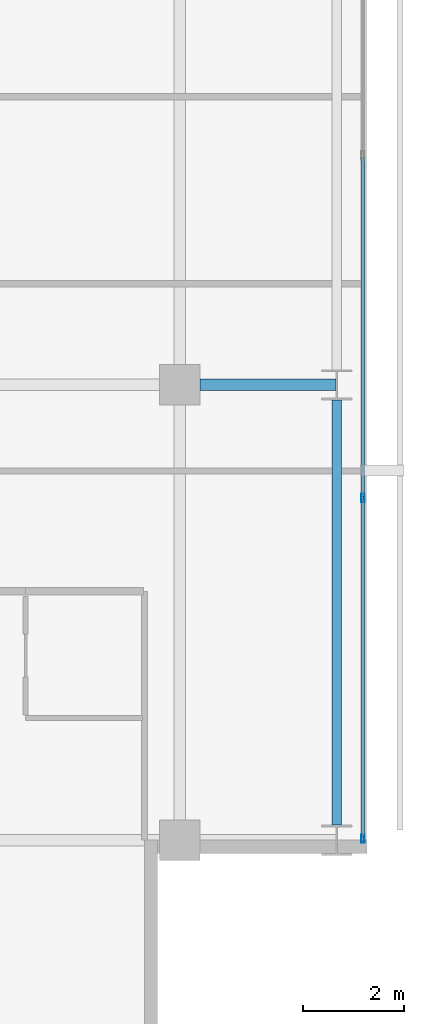
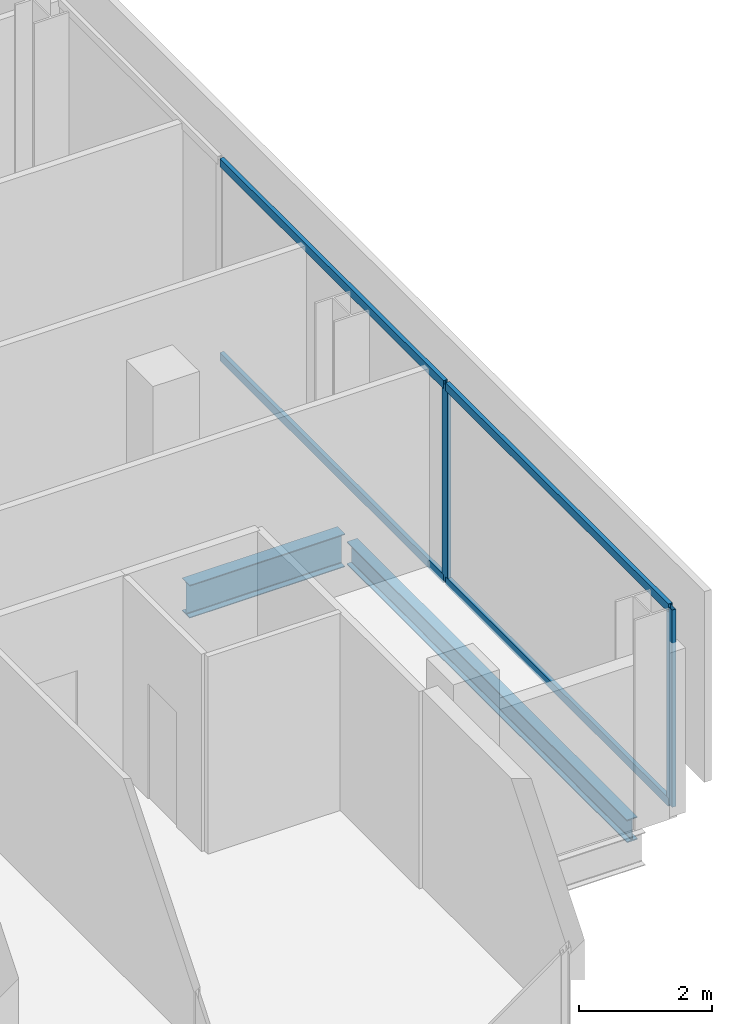
# One storey, part 15 of 34: 6 members, 2 beams, 1 element without a shape of its own.
"""IFC4 building model written with IfcOpenShell, lengths in metres."""

from ifc_helpers import new_model, si_unit, direction, frame, origin, origin_2d, place, context, subcontext, project, spatial, hollow_rectangle, i_section, extrude, material, layer, layer_set, material_profile, profile_set, type_object, element, aggregate, save


model = new_model("IFC4")

# Units and contexts
model_context = context("Model", 3, precision=1e-05, world=origin(), true_north=direction((0.0, 1.0)))
body_context = subcontext(model_context, "Body", "Model", "MODEL_VIEW")
ifc_project = project(units=[si_unit("LENGTHUNIT", "METRE"), si_unit("AREAUNIT", "SQUARE_METRE"), si_unit("VOLUMEUNIT", "CUBIC_METRE"), si_unit("PLANEANGLEUNIT", "RADIAN"), si_unit("MASSUNIT", "GRAM", prefix="KILO")], contexts=[model_context])

# Site, building, storey
site_placement = place(None, origin())
site = spatial("IfcSite", under=ifc_project, at=site_placement, CompositionType="ELEMENT")
building_placement = place(site_placement, origin())
building = spatial("IfcBuilding", under=site, at=building_placement, Name="Maruvema Waterfront Hotel and Observation Tower", CompositionType="ELEMENT")
storey_placement = place(building_placement, frame((0.0, 0.0, 189.0)))
storey = spatial("IfcBuildingStorey", under=building, at=storey_placement, Name="L46", CompositionType="ELEMENT", Elevation=189.0)

# Curtain wall, members
ifc_material_1 = material(Name="Anodised bronze aluminium and solar-control low-E IGU", Category="aluminium")
ifc_layer = layer(ifc_material_1, 0.159912109375, Name="Zone 2 Amber Inner Thermal Curtain Wall System CW-03")
ifc_layer_set = layer_set([ifc_layer], Name="Anodised bronze aluminium and solar-control low-E IGU")
curtain_wall_type = type_object("IfcCurtainWallType", Name="Zone 2 Amber Inner Thermal Curtain Wall System CW-03", PredefinedType="USERDEFINED", material=ifc_layer_set)
curtain_wall_placement = place(storey_placement, origin())
curtain_wall = element("IfcCurtainWall", 1, at=curtain_wall_placement, inside=storey, type_object=curtain_wall_type, Name="L46 Curtain Wall CW-L46-E", ObjectType="UNITISED CURTAIN WALL", PredefinedType="USERDEFINED")
ifc_material_2 = material(Name="Anodised architectural bronze aluminium", Category="aluminium")
ifc_material_profile_1 = material_profile(ifc_material_2, hollow_rectangle(XDim=0.070068359375, YDim=0.14990234375, WallThickness=0.00390625, at=origin_2d()), Name="ALU-T70x150")
ifc_profile_set_1 = profile_set([ifc_material_profile_1], Name="Anodised architectural bronze aluminium")
member_type_1 = type_object("IfcMemberType", Name="Curtain Wall Horizontal Transom ALU-T70x150", PredefinedType="USERDEFINED", material=ifc_profile_set_1)
member_1_placement = place(storey_placement, frame((62.419921875, 9.06005859375, 0.030029296875), z_axis=(0.0, 1.0, 0.0), x_axis=(-1.0, 0.0, 0.0)))
member_1 = element("IfcMember", 2, at=member_1_placement, type_object=member_type_1, Name="CW-03 transom 1.1", ObjectType="TRANSOM", PredefinedType="USERDEFINED", context=body_context, shape_type="SweptSolid", body=[
    extrude(hollow_rectangle(XDim=0.070068359375, YDim=0.14990234375, WallThickness=0.00390625, at=origin_2d()), origin(), (0.0, 0.0, 1.0), 6.676513671875),
])
member_2_placement = place(storey_placement, frame((62.419921875, 9.06005859375, 3.580078125), z_axis=(0.0, 1.0, 0.0), x_axis=(-1.0, 0.0, 0.0)))
member_2 = element("IfcMember", 3, at=member_2_placement, type_object=member_type_1, Name="CW-03 transom 1.2", ObjectType="TRANSOM", PredefinedType="USERDEFINED", context=body_context, shape_type="SweptSolid", body=[
    extrude(hollow_rectangle(XDim=0.070068359375, YDim=0.14990234375, WallThickness=0.00390625, at=origin_2d()), origin(), (0.0, 0.0, 1.0), 6.676513671875),
])
member_3_placement = place(storey_placement, frame((62.419921875, 15.796630859375, 0.030029296875), z_axis=(0.0, 1.0, 0.0), x_axis=(-1.0, 0.0, 0.0)))
member_3 = element("IfcMember", 4, at=member_3_placement, type_object=member_type_1, Name="CW-03 transom 2.1", ObjectType="TRANSOM", PredefinedType="USERDEFINED", context=body_context, shape_type="SweptSolid", body=[
    extrude(hollow_rectangle(XDim=0.070068359375, YDim=0.14990234375, WallThickness=0.00390625, at=origin_2d()), origin(), (0.0, 0.0, 1.0), 6.706787109375),
])
member_4_placement = place(storey_placement, frame((62.419921875, 15.796630859375, 3.580078125), z_axis=(0.0, 1.0, 0.0), x_axis=(-1.0, 0.0, 0.0)))
member_4 = element("IfcMember", 5, at=member_4_placement, type_object=member_type_1, Name="CW-03 transom 2.2", ObjectType="TRANSOM", PredefinedType="USERDEFINED", context=body_context, shape_type="SweptSolid", body=[
    extrude(hollow_rectangle(XDim=0.070068359375, YDim=0.14990234375, WallThickness=0.00390625, at=origin_2d()), origin(), (0.0, 0.0, 1.0), 6.706787109375),
])
ifc_material_3 = material(Name="Anodised architectural bronze aluminium", Category="aluminium")
ifc_material_profile_2 = material_profile(ifc_material_3, hollow_rectangle(XDim=0.06494140625, YDim=0.1650390625, WallThickness=0.00390625, at=origin_2d()), Name="ALU-M65x165")
ifc_profile_set_2 = profile_set([ifc_material_profile_2], Name="Anodised architectural bronze aluminium")
member_type_2 = type_object("IfcMemberType", Name="Curtain Wall Primary Mullion ALU-M65x165", PredefinedType="MULLION", material=ifc_profile_set_2)
member_5_placement = place(storey_placement, frame((62.419921875, 9.030029296875, 0.0), z_axis=(0.0, 0.0, 1.0), x_axis=(-1.0, 0.0, 0.0)))
member_5 = element("IfcMember", 6, at=member_5_placement, type_object=member_type_2, Name="CW-03 mullion 1", PredefinedType="MULLION", context=body_context, shape_type="SweptSolid", body=[
    extrude(hollow_rectangle(XDim=0.06494140625, YDim=0.1650390625, WallThickness=0.00390625, at=origin_2d()), origin(), (0.0, 0.0, 1.0), 3.610107421875),
])
member_6_placement = place(storey_placement, frame((62.419921875, 15.7666015625, 0.0), z_axis=(0.0, 0.0, 1.0), x_axis=(-1.0, 0.0, 0.0)))
member_6 = element("IfcMember", 7, at=member_6_placement, type_object=member_type_2, Name="CW-03 mullion 2", PredefinedType="MULLION", context=body_context, shape_type="SweptSolid", body=[
    extrude(hollow_rectangle(XDim=0.06494140625, YDim=0.1650390625, WallThickness=0.00390625, at=origin_2d()), origin(), (0.0, 0.0, 1.0), 3.610107421875),
])
aggregate(curtain_wall, [member_5, member_6, member_1, member_2, member_3, member_4])

# Beams
ifc_material_4 = material(Name="Steel ASTM A572 Grade 50", Category="steel")
ifc_material_profile_3 = material_profile(ifc_material_4, i_section(OverallWidth=0.180908203125, OverallDepth=0.4169921875, WebThickness=0.010986328125, FlangeThickness=0.018310546875, FilletRadius=0.014892578125, at=origin_2d()), Name="W410x85.0")
ifc_profile_set_3 = profile_set([ifc_material_profile_3], Name="Steel ASTM A572 Grade 50")
beam_type_1 = type_object("IfcBeamType", Name="Perimeter Spandrel Beam W410x85.0", PredefinedType="SPANDREL", material=ifc_profile_set_3)
beam_1_placement = place(storey_placement, frame((61.89990234375, 9.300048828125, -0.448486328125), z_axis=(0.0, 1.0, 0.0), x_axis=(-1.0, 0.0, 0.0)))
element("IfcBeam", 8, at=beam_1_placement, inside=storey, type_object=beam_type_1, Name="L46 Floor Girder NS-29", PredefinedType="SPANDREL", context=body_context, shape_type="SweptSolid", body=[
    extrude(i_section(OverallWidth=0.180908203125, OverallDepth=0.4169921875, WebThickness=0.010986328125, FlangeThickness=0.018310546875, FilletRadius=0.014892578125, at=origin_2d()), origin(), (0.0, 0.0, 1.0), 8.39990234375),
])
ifc_material_5 = material(Name="Steel ASTM A572 Grade 50", Category="steel")
ifc_material_profile_4 = material_profile(ifc_material_5, i_section(OverallWidth=0.22802734375, OverallDepth=0.60302734375, WebThickness=0.010498046875, FlangeThickness=0.014892578125, FilletRadius=0.01806640625, at=origin_2d()), Name="W610x101.0")
ifc_profile_set_4 = profile_set([ifc_material_profile_4], Name="Steel ASTM A572 Grade 50")
beam_type_2 = type_object("IfcBeamType", Name="Primary Floor Girder W610x101.0", PredefinedType="BEAM", material=ifc_profile_set_4)
beam_2_placement = place(storey_placement, frame((59.199951171875, 18.0, -0.54150390625), z_axis=(1.0, 0.0, 0.0), x_axis=(0.0, 1.0, 0.0)))
element("IfcBeam", 9, at=beam_2_placement, inside=storey, type_object=beam_type_2, Name="L46 Floor Girder EW-17", PredefinedType="BEAM", context=body_context, shape_type="SweptSolid", body=[
    extrude(i_section(OverallWidth=0.22802734375, OverallDepth=0.60302734375, WebThickness=0.010498046875, FlangeThickness=0.014892578125, FilletRadius=0.01806640625, at=origin_2d()), origin(), (0.0, 0.0, 1.0), 2.6875),
])

save(model, "model.ifc")
